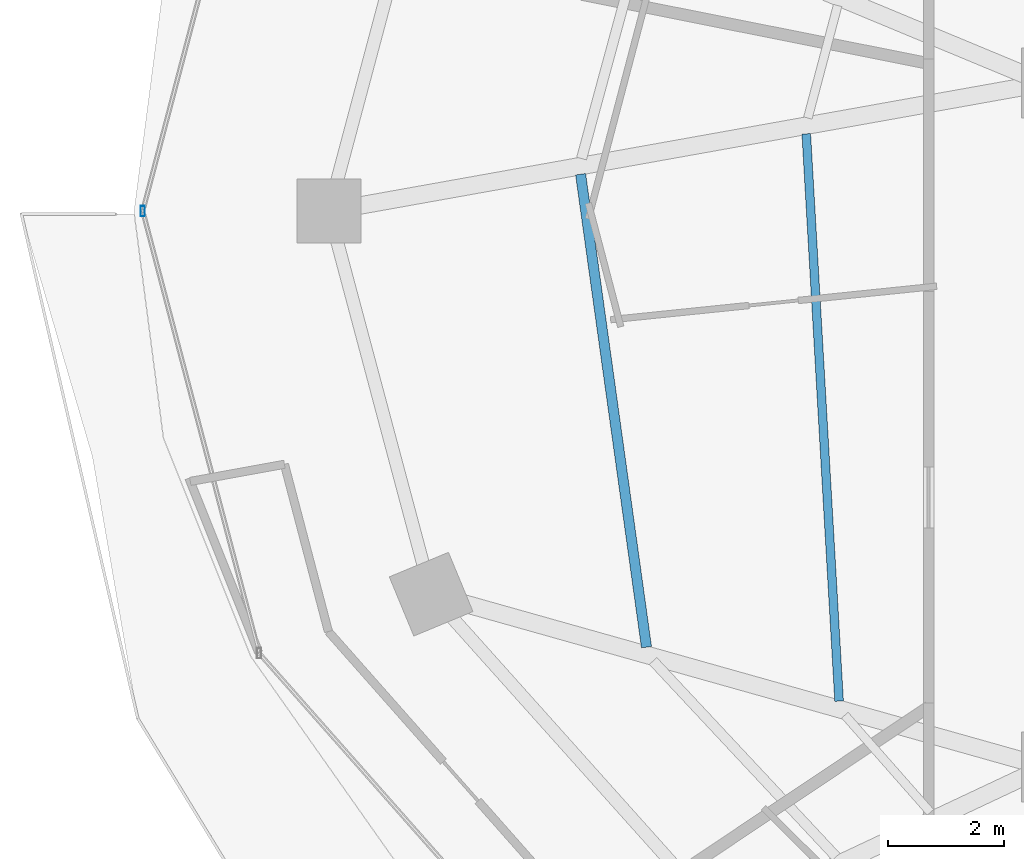
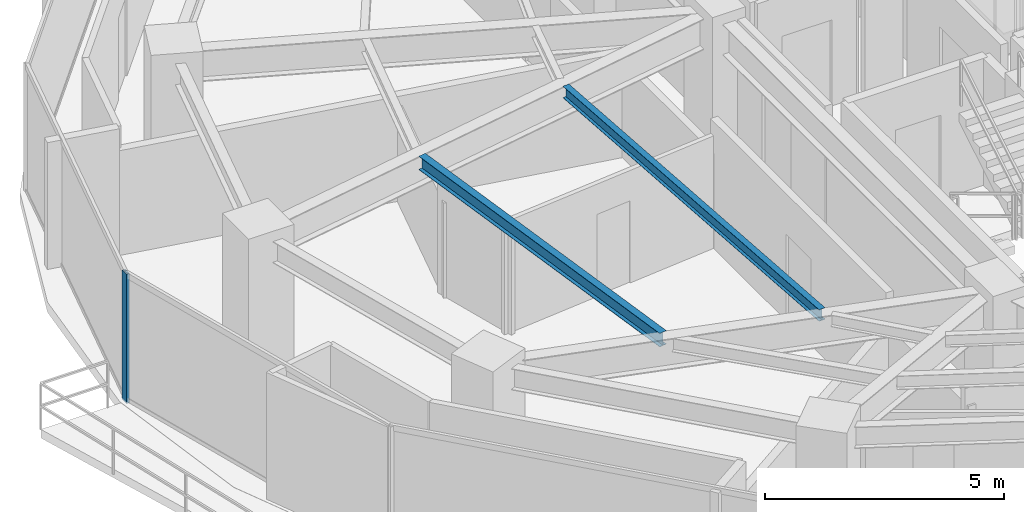
# One storey, part 7 of 29: 2 beams, 1 member, 1 element without a shape of its own.
"""IFC4 building model written with IfcOpenShell, lengths in metres."""

from ifc_helpers import new_model, si_unit, direction, frame, origin, origin_2d, place, context, subcontext, project, spatial, hollow_rectangle, i_section, extrude, material, material_profile, profile_set, type_object, element, aggregate, save


model = new_model("IFC4")

# Units and contexts
model_context = context("Model", 3, precision=1e-05, world=origin(), true_north=direction((0.0, 1.0)))
body_context = subcontext(model_context, "Body", "Model", "MODEL_VIEW")
ifc_project = project(units=[si_unit("LENGTHUNIT", "METRE"), si_unit("AREAUNIT", "SQUARE_METRE"), si_unit("VOLUMEUNIT", "CUBIC_METRE"), si_unit("PLANEANGLEUNIT", "RADIAN"), si_unit("MASSUNIT", "GRAM", prefix="KILO")], contexts=[model_context])

# Site, building, storey
site_placement = place(None, origin())
site = spatial("IfcSite", under=ifc_project, at=site_placement, CompositionType="ELEMENT")
building_placement = place(site_placement, origin())
building = spatial("IfcBuilding", under=site, at=building_placement, Name="Vorneva Point Tower", CompositionType="ELEMENT")
storey_placement = place(building_placement, frame((0.0, 0.0, 85.800048828125)))
storey = spatial("IfcBuildingStorey", under=building, at=storey_placement, Name="L22", CompositionType="ELEMENT", Elevation=85.800048828125)

# Beams
ifc_material_1 = material(Name="Steel S355", Category="steel")
ifc_material_profile_1 = material_profile(ifc_material_1, i_section(OverallWidth=0.14892578125, OverallDepth=0.298095703125, WebThickness=0.005615234375, FlangeThickness=0.008056640625, at=origin_2d()), Name="30B1")
ifc_profile_set_1 = profile_set([ifc_material_profile_1], Name="Steel S355")
beam_type_1 = type_object("IfcBeamType", Name="BM-JST-30B1", PredefinedType="JOIST", material=ifc_profile_set_1)
beam_1_placement = place(storey_placement, frame((23.1494140625, 27.327392578125, 3.091064453125), z_axis=(0.057791133112, -0.998328695838, 0.0), x_axis=(0.998328695838, 0.057791133112, 0.0)))
element("IfcBeam", 1, at=beam_1_placement, inside=storey, type_object=beam_type_1, Name="L22 Secondary Floor Beam 2.09", PredefinedType="JOIST", context=body_context, shape_type="SweptSolid", body=[
    extrude(i_section(OverallWidth=0.14892578125, OverallDepth=0.298095703125, WebThickness=0.005615234375, FlangeThickness=0.008056640625, at=origin_2d()), origin(), (0.0, 0.0, 1.0), 9.762939453125),
])
ifc_material_profile_2 = material_profile(ifc_material_1, i_section(OverallWidth=0.174072265625, OverallDepth=0.345947265625, WebThickness=0.006103515625, FlangeThickness=0.009033203125, at=origin_2d()), Name="35B1")
ifc_profile_set_2 = profile_set([ifc_material_profile_2], Name="Steel S355")
beam_type_2 = type_object("IfcBeamType", Name="BM-SEC-35B1", PredefinedType="BEAM", material=ifc_profile_set_2)
beam_2_placement = place(storey_placement, frame((19.2724609375, 26.633056640625, 3.06689453125), z_axis=(0.137995762833, -0.990432819246, 0.0), x_axis=(0.990432819246, 0.137995762833, 0.0)))
element("IfcBeam", 2, at=beam_2_placement, inside=storey, type_object=beam_type_2, Name="L22 Secondary Floor Beam 1.09", PredefinedType="BEAM", context=body_context, shape_type="SweptSolid", body=[
    extrude(i_section(OverallWidth=0.174072265625, OverallDepth=0.345947265625, WebThickness=0.006103515625, FlangeThickness=0.009033203125, at=origin_2d()), origin(), (0.0, 0.0, 1.0), 8.20361328125),
])

# Curtain wall, member
ifc_material_2 = material(Name="Pale anodised aluminium", Category="aluminium")
curtain_wall_type = type_object("IfcCurtainWallType", Name="CW-HTL-SYS", PredefinedType="NOTDEFINED", material=ifc_material_2)
curtain_wall_placement = place(storey_placement, origin())
curtain_wall = element("IfcCurtainWall", 3, at=curtain_wall_placement, inside=storey, type_object=curtain_wall_type, Name="L22 Unitised Curtain Wall CW-L22-R02", PredefinedType="NOTDEFINED")
ifc_material_profile_3 = material_profile(ifc_material_2, hollow_rectangle(XDim=0.074951171875, YDim=0.179931640625, WallThickness=0.00390625, at=origin_2d()), Name="AL-MUL 180x75x4")
ifc_profile_set_3 = profile_set([ifc_material_profile_3], Name="Pale anodised aluminium")
member_type = type_object("IfcMemberType", Name="CW-MUL-180", PredefinedType="MULLION", material=ifc_profile_set_3)
member_placement = place(storey_placement, frame((11.75, 26.0, -0.0400390625), z_axis=(0.0, 0.0, 1.0), x_axis=(1.0, 0.0, 0.0)))
member = element("IfcMember", 4, at=member_placement, type_object=member_type, Name="CW-L22-R02 Mullion 03", PredefinedType="MULLION", context=body_context, shape_type="SweptSolid", body=[
    extrude(hollow_rectangle(XDim=0.074951171875, YDim=0.179931640625, WallThickness=0.00390625, at=origin_2d()), origin(), (0.0, 0.0, 1.0), 3.31005859375),
])
aggregate(curtain_wall, [member])

save(model, "model.ifc")
